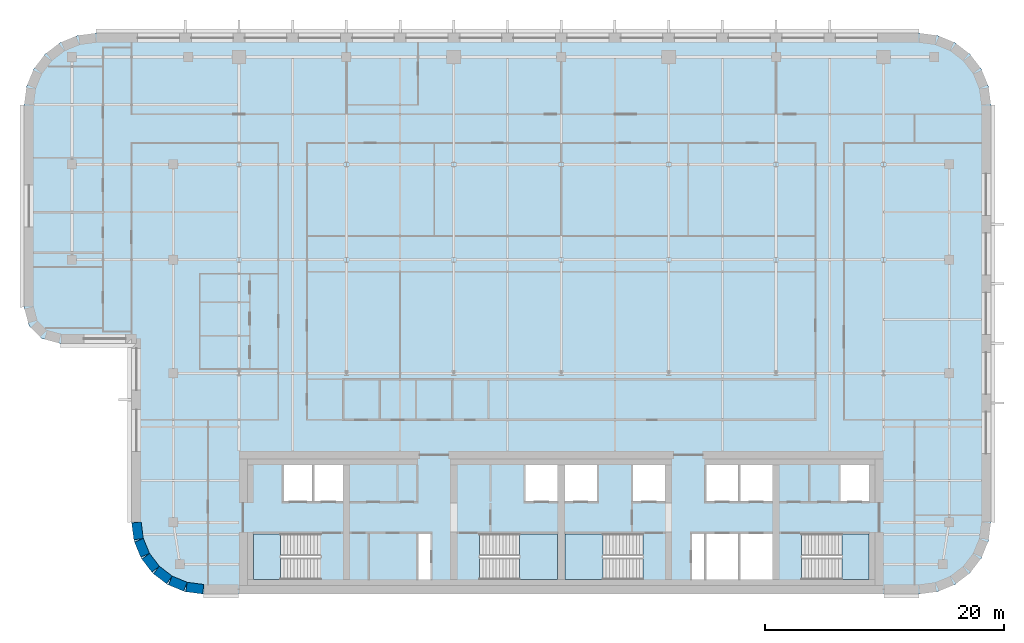
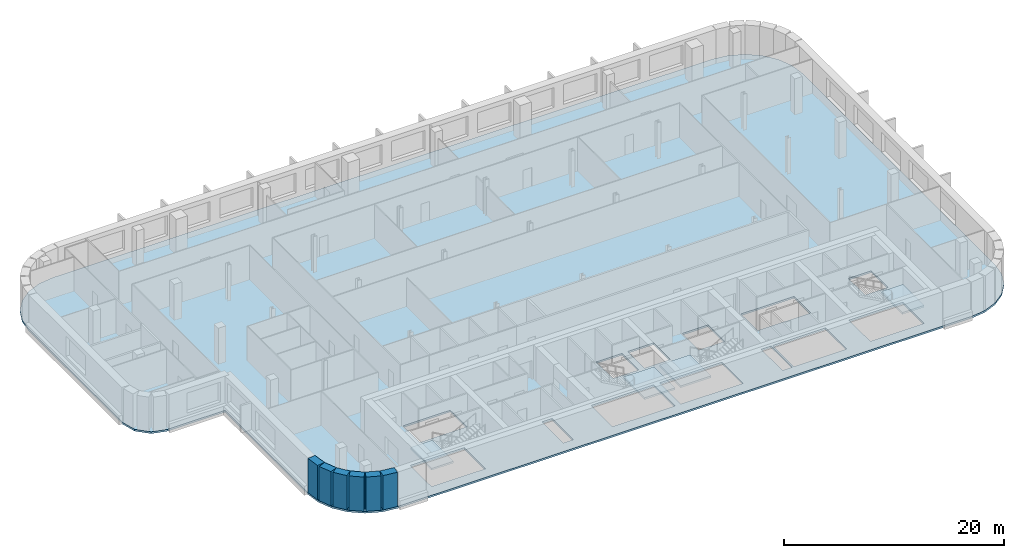
# One storey, part 6 of 16: 6 walls, 5 slabs, 4 elements without a shape of their own.
"""IFC4 building model written with IfcOpenShell, lengths in metres."""

from ifc_helpers import new_model, si_unit, direction, frame, frame_2d, origin, place, context, subcontext, project, spatial, polyline, rectangle, outline, extrude, material, layer, layer_set, type_object, element, aggregate, save


model = new_model("IFC4")

# Units and contexts
model_context = context("Model", 3, precision=1e-05, world=origin(), true_north=direction((0.0, 1.0)))
body_context = subcontext(model_context, "Body", "Model", "MODEL_VIEW")
ifc_project = project(units=[si_unit("LENGTHUNIT", "METRE"), si_unit("AREAUNIT", "SQUARE_METRE"), si_unit("VOLUMEUNIT", "CUBIC_METRE"), si_unit("PLANEANGLEUNIT", "RADIAN"), si_unit("MASSUNIT", "GRAM", prefix="KILO")], contexts=[model_context])

# Site, building, storey
site_placement = place(None, origin())
site = spatial("IfcSite", under=ifc_project, at=site_placement, CompositionType="ELEMENT")
building_placement = place(site_placement, origin())
building = spatial("IfcBuilding", under=site, at=building_placement, Name="Zellij Exchange Tower", CompositionType="ELEMENT")
storey_placement = place(building_placement, frame((0.0, 0.0, 236.5)))
storey = spatial("IfcBuildingStorey", under=building, at=storey_placement, Name="L55", CompositionType="ELEMENT", Elevation=236.5)

# Stair, slab
ifc_material_1 = material(Name="Concrete C40/50", Category="concrete")
stair_type = type_object("IfcStairType", Name="CORE-ST exit stair 1850 wide", PredefinedType="HALF_TURN_STAIR", material=ifc_material_1)
stair_1_placement = place(storey_placement, origin())
stair_1 = element("IfcStair", 1, at=stair_1_placement, inside=storey, type_object=stair_type, Name="L55 exit stair ST1", PredefinedType="HALF_TURN_STAIR")
ifc_layer_1 = layer(ifc_material_1, 0.199951171875)
ifc_layer_set_1 = layer_set([ifc_layer_1], Name="Concrete C40/50")
slab_type_1 = type_object("IfcSlabType", Name="CORE-SL stair landing 200", PredefinedType="LANDING", material=ifc_layer_set_1)
slab_1_placement = place(storey_placement, frame((0.0, 0.0, 1.800048828125)))
slab_1 = element("IfcSlab", 2, at=slab_1_placement, type_object=slab_type_1, Name="ST1 landing 1", PredefinedType="LANDING", context=body_context, shape_type="SweptSolid", body=[
    extrude(outline(polyline([(-23.510009765625, -8.949951171875), (-25.800048828125, -8.949951171875), (-25.800048828125, -12.800048828125), (-23.510009765625, -12.800048828125), (-23.510009765625, -8.949951171875)])), origin(), (0.0, 0.0, 1.0), 0.199951171875),
])
aggregate(stair_1, [slab_1])

stair_2_placement = place(storey_placement, origin())
stair_2 = element("IfcStair", 3, at=stair_2_placement, inside=storey, type_object=stair_type, Name="L55 exit stair ST2", PredefinedType="HALF_TURN_STAIR")
slab_2_placement = place(storey_placement, frame((0.0, 0.0, 1.800048828125)))
slab_2 = element("IfcSlab", 4, at=slab_2_placement, type_object=slab_type_1, Name="ST2 landing 1", PredefinedType="LANDING", context=body_context, shape_type="SweptSolid", body=[
    extrude(outline(polyline([(-3.489990234375, -12.800048828125), (-0.300048828125, -12.800048828125), (-0.300048828125, -8.949951171875), (-3.489990234375, -8.949951171875), (-3.489990234375, -12.800048828125)])), origin(), (0.0, 0.0, 1.0), 0.199951171875),
])
aggregate(stair_2, [slab_2])

stair_3_placement = place(storey_placement, origin())
stair_3 = element("IfcStair", 5, at=stair_3_placement, inside=storey, type_object=stair_type, Name="L55 exit stair ST3", PredefinedType="HALF_TURN_STAIR")
slab_3_placement = place(storey_placement, frame((0.0, 0.0, 1.800048828125)))
slab_3 = element("IfcSlab", 6, at=slab_3_placement, type_object=slab_type_1, Name="ST3 landing 1", PredefinedType="LANDING", context=body_context, shape_type="SweptSolid", body=[
    extrude(outline(polyline([(3.489990234375, -8.949951171875), (0.300048828125, -8.949951171875), (0.300048828125, -12.800048828125), (3.489990234375, -12.800048828125), (3.489990234375, -8.949951171875)])), origin(), (0.0, 0.0, 1.0), 0.199951171875),
])
aggregate(stair_3, [slab_3])

stair_4_placement = place(storey_placement, origin())
stair_4 = element("IfcStair", 7, at=stair_4_placement, inside=storey, type_object=stair_type, Name="L55 exit stair ST4", PredefinedType="HALF_TURN_STAIR")
slab_4_placement = place(storey_placement, frame((0.0, 0.0, 1.800048828125)))
slab_4 = element("IfcSlab", 8, at=slab_4_placement, type_object=slab_type_1, Name="ST4 landing 1", PredefinedType="LANDING", context=body_context, shape_type="SweptSolid", body=[
    extrude(outline(polyline([(23.510009765625, -12.800048828125), (25.800048828125, -12.800048828125), (25.800048828125, -8.949951171875), (23.510009765625, -8.949951171875), (23.510009765625, -12.800048828125)])), origin(), (0.0, 0.0, 1.0), 0.199951171875),
])
aggregate(stair_4, [slab_4])

# Slab
ifc_layer_2 = layer(ifc_material_1, 0.199951171875)
ifc_layer_set_2 = layer_set([ifc_layer_2], Name="Concrete C40/50")
slab_type_2 = type_object("IfcSlabType", Name="STR-FLOOR SLAB 200 C40/50", PredefinedType="FLOOR", material=ifc_layer_set_2)
slab_5_placement = place(storey_placement, frame((0.0, 0.0, -0.2001953125)))
element("IfcSlab", 9, at=slab_5_placement, inside=storey, type_object=slab_type_2, Name="Floor L55", PredefinedType="FLOOR", context=body_context, shape_type="SweptSolid", body=[
    extrude(outline(polyline([(31.552978515625, 32.795654296875), (33.0, 32.1962890625), (34.24267578125, 31.24267578125), (35.1962890625, 30.0), (35.795654296875, 28.552978515625), (36.0, 27.0), (36.0, -8.0), (35.795654296875, -9.552978515625), (35.1962890625, -11.0), (34.24267578125, -12.24267578125), (33.0, -13.1962890625), (31.552978515625, -13.795654296875), (30.0, -14.0), (-30.0, -14.0), (-31.552978515625, -13.795654296875), (-33.0, -13.1962890625), (-34.24267578125, -12.24267578125), (-35.1962890625, -11.0), (-35.795654296875, -9.552978515625), (-36.0, -8.0), (-36.0, 7.0), (-42.0, 7.0), (-43.5, 7.40185546875), (-44.59814453125, 8.5), (-45.0, 10.0), (-45.0, 27.0), (-44.795654296875, 28.552978515625), (-44.1962890625, 30.0), (-43.24267578125, 31.24267578125), (-42.0, 32.1962890625), (-40.552978515625, 32.795654296875), (-39.0, 33.0), (30.0, 33.0), (31.552978515625, 32.795654296875)]), holes=[polyline([(-25.800048828125, -8.949951171875), (-25.800048828125, -12.800048828125), (-20.153076171875, -12.800048828125), (-20.153076171875, -8.949951171875), (-25.800048828125, -8.949951171875)]), polyline([(-10.949951171875, -8.949951171875), (-12.0, -8.949951171875), (-12.0, -12.800048828125), (-10.949951171875, -12.800048828125), (-10.949951171875, -8.949951171875)]), polyline([(-0.300048828125, -8.949951171875), (-6.846923828125, -8.949951171875), (-6.846923828125, -12.800048828125), (-0.300048828125, -12.800048828125), (-0.300048828125, -8.949951171875)]), polyline([(0.300048828125, -8.949951171875), (0.300048828125, -12.800048828125), (6.846923828125, -12.800048828125), (6.846923828125, -8.949951171875), (0.300048828125, -8.949951171875)]), polyline([(-18.300048828125, -3.199951171875), (-23.25, -3.199951171875), (-23.25, -6.22509765625), (-18.300048828125, -6.22509765625), (-18.300048828125, -3.199951171875)]), polyline([(-0.300048828125, -3.199951171875), (-3.0, -3.199951171875), (-3.0, -6.22509765625), (-0.300048828125, -6.22509765625), (-0.300048828125, -3.199951171875)]), polyline([(0.300048828125, -3.199951171875), (0.300048828125, -6.22509765625), (3.0, -6.22509765625), (3.0, -3.199951171875), (0.300048828125, -3.199951171875)]), polyline([(12.0, -8.949951171875), (10.949951171875, -8.949951171875), (10.949951171875, -12.800048828125), (12.0, -12.800048828125), (12.0, -8.949951171875)]), polyline([(17.699951171875, -8.949951171875), (12.14990234375, -8.949951171875), (12.14990234375, -12.800048828125), (17.699951171875, -12.800048828125), (17.699951171875, -8.949951171875)]), polyline([(25.800048828125, -8.949951171875), (20.153076171875, -8.949951171875), (20.153076171875, -12.800048828125), (25.800048828125, -12.800048828125), (25.800048828125, -8.949951171875)]), polyline([(8.699951171875, -3.199951171875), (6.0, -3.199951171875), (6.0, -6.22509765625), (8.699951171875, -6.22509765625), (8.699951171875, -3.199951171875)]), polyline([(17.699951171875, -3.199951171875), (12.14990234375, -3.199951171875), (12.14990234375, -6.22509765625), (17.699951171875, -6.22509765625), (17.699951171875, -3.199951171875)]), polyline([(25.800048828125, -3.199951171875), (23.39990234375, -3.199951171875), (23.39990234375, -6.22509765625), (25.800048828125, -6.22509765625), (25.800048828125, -3.199951171875)])]), origin(), (0.0, 0.0, 1.0), 0.2001953125),
])

# Walls
ifc_material_2 = material(Name="Precast concrete C40/50", Category="concrete")
ifc_layer_3 = layer(ifc_material_2, 0.800048828125)
ifc_layer_set_3 = layer_set([ifc_layer_3], Name="Precast concrete C40/50")
wall_type = type_object("IfcWallType", Name="ENV-EW1 Precast stone-piered wall 800", PredefinedType="SOLIDWALL", material=ifc_layer_set_3)
wall_1_placement = place(storey_placement, frame((-35.5966796875, -7.999755859375, 0.0), z_axis=(0.0, 0.0, 1.0), x_axis=(0.130517283865, -0.99144603414, 0.0)))
element("IfcWall", 10, at=wall_1_placement, inside=storey, type_object=wall_type, Name="fac.L55.27", PredefinedType="SOLIDWALL", context=body_context, shape_type="SweptSolid", body=[
    extrude(rectangle(XDim=1.408447265625, YDim=0.800048828125, at=frame_2d((0.7041015625, 0.0))), origin(), (0.0, 0.0, 1.0), 3.800048828125),
])
wall_2_placement = place(storey_placement, frame((-35.3857421875, -9.497314453125, 0.0), z_axis=(0.0, 0.0, 1.0), x_axis=(0.38276009378, -0.923847774587, 0.0)))
element("IfcWall", 11, at=wall_2_placement, inside=storey, type_object=wall_type, Name="fac.L55.28", PredefinedType="SOLIDWALL", context=body_context, shape_type="SweptSolid", body=[
    extrude(rectangle(XDim=1.35546875, YDim=0.800048828125, at=frame_2d((0.677734375, 0.0))), origin(), (0.0, 0.0, 1.0), 3.800048828125),
])
for number, where, z_axis, x_axis, name in (
    (12, (-34.814697265625, -10.840087890625, 0.0), (0.0, 0.0, 1.0), (0.608866226366, -0.793272915452, 0.0), "fac.L55.29"),
    (13, (-33.91552734375, -11.9892578125, 0.0), (0.0, 0.0, 1.0), (0.793272915452, -0.608866226366, 0.0), "fac.L55.30"),
):
    element("IfcWall", number, at=place(storey_placement, frame(where, z_axis=z_axis, x_axis=x_axis)), inside=storey, type_object=wall_type, Name=name, PredefinedType="SOLIDWALL", context=body_context, shape_type="SweptSolid", body=[
        extrude(rectangle(XDim=1.355712890625, YDim=0.800048828125, at=frame_2d((0.677734375, 0.0))), origin(), (0.0, 0.0, 1.0), 3.800048828125),
    ])
wall_3_placement = place(storey_placement, frame((-32.74951171875, -12.866943359375, 0.0), z_axis=(0.0, 0.0, 1.0), x_axis=(0.923847774587, -0.38276009378, 0.0)))
element("IfcWall", 14, at=wall_3_placement, inside=storey, type_object=wall_type, Name="fac.L55.31", PredefinedType="SOLIDWALL", context=body_context, shape_type="SweptSolid", body=[
    extrude(rectangle(XDim=1.35546875, YDim=0.800048828125, at=frame_2d((0.677734375, 0.0))), origin(), (0.0, 0.0, 1.0), 3.800048828125),
])
wall_4_placement = place(storey_placement, frame((-31.396240234375, -13.412841796875, 0.0), z_axis=(0.0, 0.0, 1.0), x_axis=(0.99144603414, -0.130517283865, 0.0)))
element("IfcWall", 15, at=wall_4_placement, inside=storey, type_object=wall_type, Name="fac.L55.32", PredefinedType="SOLIDWALL", context=body_context, shape_type="SweptSolid", body=[
    extrude(rectangle(XDim=1.408447265625, YDim=0.800048828125, at=frame_2d((0.7041015625, 0.0))), origin(), (0.0, 0.0, 1.0), 3.800048828125),
])

save(model, "model.ifc")
